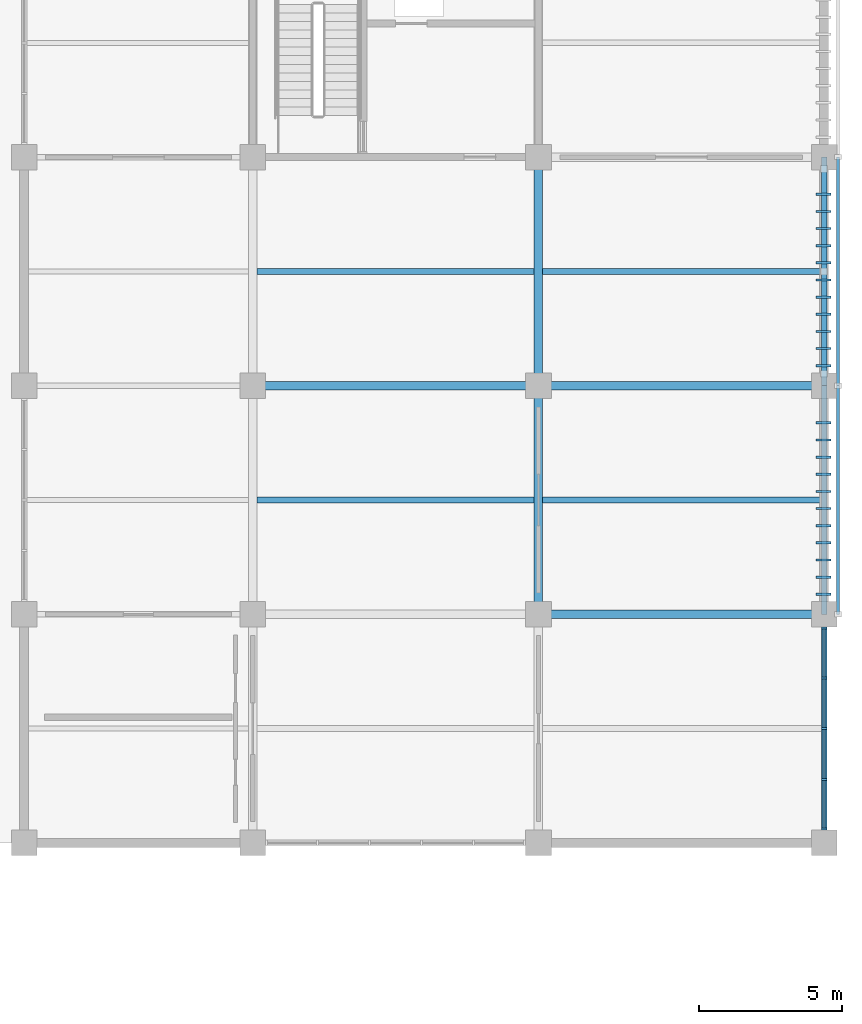
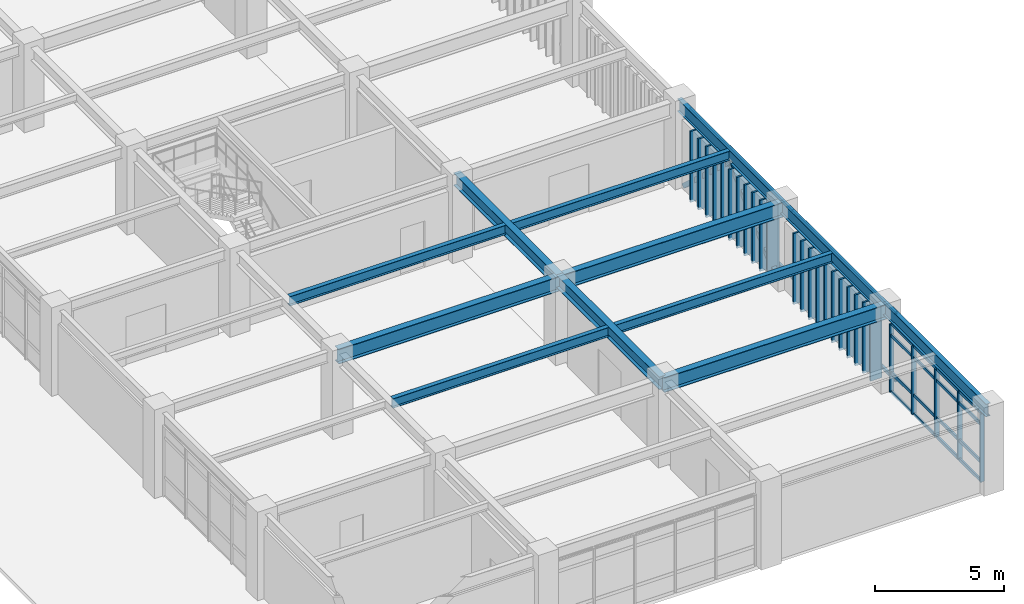
# One storey, part 40 of 118: 49 members, 12 beams, 1 element without a shape of its own.
"""IFC4 building model written with IfcOpenShell, lengths in metres."""

from ifc_helpers import new_model, si_unit, direction, frame, origin, origin_2d, place, context, subcontext, project, spatial, rectangle, hollow_rectangle, i_section, extrude, material, layer, layer_set, material_profile, profile_set, type_object, element, aggregate, save


model = new_model("IFC4")

# Units and contexts
model_context = context("Model", 3, precision=1e-05, world=origin(), true_north=direction((0.0, 1.0)))
body_context = subcontext(model_context, "Body", "Model", "MODEL_VIEW")
ifc_project = project(units=[si_unit("LENGTHUNIT", "METRE"), si_unit("AREAUNIT", "SQUARE_METRE"), si_unit("VOLUMEUNIT", "CUBIC_METRE"), si_unit("PLANEANGLEUNIT", "RADIAN"), si_unit("MASSUNIT", "GRAM", prefix="KILO")], contexts=[model_context])

# Site, building, storey
site_placement = place(None, origin())
site = spatial("IfcSite", under=ifc_project, at=site_placement, CompositionType="ELEMENT")
building_placement = place(site_placement, origin())
building = spatial("IfcBuilding", under=site, at=building_placement, Name="Haebicheon Civic Stadium", CompositionType="ELEMENT")
storey_placement = place(building_placement, frame((0.0, 0.0, 14.39990234375)))
storey = spatial("IfcBuildingStorey", under=building, at=storey_placement, Name="L04", CompositionType="ELEMENT", Elevation=14.39990234375)

# Beams
ifc_material_1 = material(Name="Steel SM355 (S355)", Category="steel")
ifc_material_profile_1 = material_profile(ifc_material_1, i_section(OverallWidth=0.300048828125, OverallDepth=0.60009765625, WebThickness=0.011962890625, FlangeThickness=0.02001953125, at=origin_2d()), Name="H-600x300x12x20")
ifc_profile_set_1 = profile_set([ifc_material_profile_1], Name="Steel SM355 (S355)")
beam_type_1 = type_object("IfcBeamType", Name="BM-ST-H600A", PredefinedType="BEAM", material=ifc_profile_set_1)
for number, where, z_axis, x_axis, name in (
    (1, (226.0, 48.0, 3.64013671875), (0.0, 1.0, 0.0), (-1.0, 0.0, 0.0), "L04 girder 29/G-H"),
    (2, (226.0, 56.0, 3.64013671875), (0.0, 1.0, 0.0), (-1.0, 0.0, 0.0), "L04 girder 29/H-J"),
):
    element("IfcBeam", number, at=place(storey_placement, frame(where, z_axis=z_axis, x_axis=x_axis)), inside=storey, type_object=beam_type_1, material=ifc_profile_set_1, Name=name, PredefinedType="BEAM", context=body_context, shape_type="SweptSolid", body=[
        extrude(i_section(OverallWidth=0.300048828125, OverallDepth=0.60009765625, WebThickness=0.011962890625, FlangeThickness=0.02001953125, at=origin_2d()), origin(), (0.0, 0.0, 1.0), 8.0),
    ])
ifc_material_2 = material(Name="Steel SM490", Category="steel")
ifc_material_profile_2 = material_profile(ifc_material_2, i_section(OverallWidth=0.300048828125, OverallDepth=0.699951171875, WebThickness=0.012939453125, FlangeThickness=0.02392578125, at=origin_2d()), Name="H-700x300x13x24")
ifc_profile_set_2 = profile_set([ifc_material_profile_2], Name="Steel SM490")
beam_type_2 = type_object("IfcBeamType", Name="BM-ST-H700", PredefinedType="BEAM", material=ifc_profile_set_2)
for number, where, z_axis, x_axis, name in (
    (3, (216.0, 56.0, 3.590087890625), (1.0, 0.0, 0.0), (0.0, 1.0, 0.0), "L04 beam H/28-29"),
    (4, (226.0, 48.0, 3.590087890625), (1.0, 0.0, 0.0), (0.0, 1.0, 0.0), "L04 beam G/29-30"),
    (5, (226.0, 56.0, 3.590087890625), (1.0, 0.0, 0.0), (0.0, 1.0, 0.0), "L04 beam H/29-30"),
):
    element("IfcBeam", number, at=place(storey_placement, frame(where, z_axis=z_axis, x_axis=x_axis)), inside=storey, type_object=beam_type_2, material=ifc_profile_set_2, Name=name, PredefinedType="BEAM", context=body_context, shape_type="SweptSolid", body=[
        extrude(i_section(OverallWidth=0.300048828125, OverallDepth=0.699951171875, WebThickness=0.012939453125, FlangeThickness=0.02392578125, at=origin_2d()), origin(), (0.0, 0.0, 1.0), 10.0),
    ])

# Members
ifc_material_3 = material(Name="Steel SM355 (S355)", Category="steel")
ifc_material_profile_3 = material_profile(ifc_material_3, hollow_rectangle(XDim=0.199951171875, YDim=0.199951171875, WallThickness=0.009033203125, at=origin_2d()), Name="RHS-200x200x9.0")
ifc_profile_set_3 = profile_set([ifc_material_profile_3], Name="Steel SM355 (S355)")
member_type_1 = type_object("IfcMemberType", Name="BRC-RHS200", PredefinedType="BRACE", material=ifc_profile_set_3)
for number, where, z_axis, x_axis, name in (
    (6, (236.0, 56.419921875, 0.0400390625), (0.0, 0.735278088986, 0.677765543427), (-1.0, 0.0, 0.0), "BR200 chevron brace L04 28-07 A"),
    (7, (236.0, 63.580078125, 0.0400390625), (0.0, -0.735278088986, 0.677765543427), (1.0, 0.0, 0.0), "BR200 chevron brace L04 28-07 B"),
):
    element("IfcMember", number, at=place(storey_placement, frame(where, z_axis=z_axis, x_axis=x_axis)), inside=storey, type_object=member_type_1, material=ifc_profile_set_3, Name=name, PredefinedType="BRACE", context=body_context, shape_type="SweptSolid", body=[
        extrude(hollow_rectangle(XDim=0.199951171875, YDim=0.199951171875, WallThickness=0.009033203125, at=origin_2d()), origin(), (0.0, 0.0, 1.0), 4.868896484375),
    ])

# Curtain wall, members
ifc_material_4 = material(Name="Anodised aluminium and laminated glass", Category="aluminium")
ifc_layer = layer(ifc_material_4, 0.179931640625, Name="Anodised aluminium and laminated glass")
ifc_layer_set = layer_set([ifc_layer], Name="Anodised aluminium and laminated glass")
curtain_wall_type = type_object("IfcCurtainWallType", Name="CW-7100x3230", PredefinedType="NOTDEFINED", material=ifc_layer_set)
curtain_wall_placement = place(storey_placement, origin())
curtain_wall = element("IfcCurtainWall", 8, at=curtain_wall_placement, inside=storey, type_object=curtain_wall_type, material=ifc_layer_set, Name="L04 unitised curtain wall 177", PredefinedType="NOTDEFINED")
ifc_material_5 = material(Name="Anodised aluminium 6063-T6", Category="aluminium")
ifc_material_profile_4 = material_profile(ifc_material_5, rectangle(XDim=0.070068359375, YDim=0.199951171875, at=origin_2d()), Name="ALU-MULL-70x200")
ifc_profile_set_4 = profile_set([ifc_material_profile_4], Name="Anodised aluminium 6063-T6")
member_type_2 = type_object("IfcMemberType", Name="CWM-200x70", PredefinedType="MULLION", material=ifc_profile_set_4)
member_1_placement = place(storey_placement, frame((236.0, 40.485107421875, 0.0), z_axis=(0.0, 0.0, 1.0), x_axis=(0.0, 1.0, 0.0)))
member_1 = element("IfcMember", 9, at=member_1_placement, type_object=member_type_2, material=ifc_profile_set_4, Name="CW-L04-177 vertical mullion 1", PredefinedType="MULLION", context=body_context, shape_type="SweptSolid", body=[
    extrude(rectangle(XDim=0.070068359375, YDim=0.199951171875, at=origin_2d()), origin(), (0.0, 0.0, 1.0), 3.22998046875),
])
member_2_placement = place(storey_placement, frame((236.0, 42.22509765625, 0.0), z_axis=(0.0, 0.0, 1.0), x_axis=(0.0, 1.0, 0.0)))
member_2 = element("IfcMember", 10, at=member_2_placement, type_object=member_type_2, material=ifc_profile_set_4, Name="CW-L04-177 vertical mullion 2", PredefinedType="MULLION", context=body_context, shape_type="SweptSolid", body=[
    extrude(rectangle(XDim=0.070068359375, YDim=0.199951171875, at=origin_2d()), origin(), (0.0, 0.0, 1.0), 3.22998046875),
])
member_3_placement = place(storey_placement, frame((236.0, 44.0, 0.0), z_axis=(0.0, 0.0, 1.0), x_axis=(0.0, 1.0, 0.0)))
member_3 = element("IfcMember", 11, at=member_3_placement, type_object=member_type_2, material=ifc_profile_set_4, Name="CW-L04-177 vertical mullion 3", PredefinedType="MULLION", context=body_context, shape_type="SweptSolid", body=[
    extrude(rectangle(XDim=0.070068359375, YDim=0.199951171875, at=origin_2d()), origin(), (0.0, 0.0, 1.0), 3.22998046875),
])
member_4_placement = place(storey_placement, frame((236.0, 45.77490234375, 0.0), z_axis=(0.0, 0.0, 1.0), x_axis=(0.0, 1.0, 0.0)))
member_4 = element("IfcMember", 12, at=member_4_placement, type_object=member_type_2, material=ifc_profile_set_4, Name="CW-L04-177 vertical mullion 4", PredefinedType="MULLION", context=body_context, shape_type="SweptSolid", body=[
    extrude(rectangle(XDim=0.070068359375, YDim=0.199951171875, at=origin_2d()), origin(), (0.0, 0.0, 1.0), 3.22998046875),
])
member_5_placement = place(storey_placement, frame((236.0, 47.514892578125, 0.0), z_axis=(0.0, 0.0, 1.0), x_axis=(0.0, 1.0, 0.0)))
member_5 = element("IfcMember", 13, at=member_5_placement, type_object=member_type_2, material=ifc_profile_set_4, Name="CW-L04-177 vertical mullion 5", PredefinedType="MULLION", context=body_context, shape_type="SweptSolid", body=[
    extrude(rectangle(XDim=0.070068359375, YDim=0.199951171875, at=origin_2d()), origin(), (0.0, 0.0, 1.0), 3.22998046875),
])
ifc_material_6 = material(Name="Anodised aluminium 6063-T6", Category="aluminium")
ifc_material_profile_5 = material_profile(ifc_material_6, rectangle(XDim=0.070068359375, YDim=0.14990234375, at=origin_2d()), Name="ALU-TRAN-70x150")
ifc_profile_set_5 = profile_set([ifc_material_profile_5], Name="Anodised aluminium 6063-T6")
member_type_3 = type_object("IfcMemberType", Name="CWT-150x70", PredefinedType="NOTDEFINED", material=ifc_profile_set_5)
member_6_placement = place(storey_placement, frame((236.0, 40.52001953125, 0.0), z_axis=(0.0, 1.0, 0.0), x_axis=(-1.0, 0.0, 0.0)))
member_6 = element("IfcMember", 14, at=member_6_placement, type_object=member_type_3, material=ifc_profile_set_5, Name="CW-L04-177 horizontal transom 1.1", ObjectType="TRANSOM", PredefinedType="USERDEFINED", context=body_context, shape_type="SweptSolid", body=[
    extrude(rectangle(XDim=0.070068359375, YDim=0.14990234375, at=origin_2d()), origin(), (0.0, 0.0, 1.0), 1.669921875),
])
member_7_placement = place(storey_placement, frame((236.0, 40.52001953125, 0.900146484375), z_axis=(0.0, 1.0, 0.0), x_axis=(-1.0, 0.0, 0.0)))
member_7 = element("IfcMember", 15, at=member_7_placement, type_object=member_type_3, material=ifc_profile_set_5, Name="CW-L04-177 horizontal transom 1.2", ObjectType="TRANSOM", PredefinedType="USERDEFINED", context=body_context, shape_type="SweptSolid", body=[
    extrude(rectangle(XDim=0.070068359375, YDim=0.14990234375, at=origin_2d()), origin(), (0.0, 0.0, 1.0), 1.669921875),
])
member_8_placement = place(storey_placement, frame((236.0, 40.52001953125, 2.68017578125), z_axis=(0.0, 1.0, 0.0), x_axis=(-1.0, 0.0, 0.0)))
member_8 = element("IfcMember", 16, at=member_8_placement, type_object=member_type_3, material=ifc_profile_set_5, Name="CW-L04-177 horizontal transom 1.3", ObjectType="TRANSOM", PredefinedType="USERDEFINED", context=body_context, shape_type="SweptSolid", body=[
    extrude(rectangle(XDim=0.070068359375, YDim=0.14990234375, at=origin_2d()), origin(), (0.0, 0.0, 1.0), 1.669921875),
])
member_9_placement = place(storey_placement, frame((236.0, 40.52001953125, 3.22998046875), z_axis=(0.0, 1.0, 0.0), x_axis=(-1.0, 0.0, 0.0)))
member_9 = element("IfcMember", 17, at=member_9_placement, type_object=member_type_3, material=ifc_profile_set_5, Name="CW-L04-177 horizontal transom 1.4", ObjectType="TRANSOM", PredefinedType="USERDEFINED", context=body_context, shape_type="SweptSolid", body=[
    extrude(rectangle(XDim=0.070068359375, YDim=0.14990234375, at=origin_2d()), origin(), (0.0, 0.0, 1.0), 1.669921875),
])
member_10_placement = place(storey_placement, frame((236.0, 42.260009765625, 0.0), z_axis=(0.0, 1.0, 0.0), x_axis=(-1.0, 0.0, 0.0)))
member_10 = element("IfcMember", 18, at=member_10_placement, type_object=member_type_3, material=ifc_profile_set_5, Name="CW-L04-177 horizontal transom 2.1", ObjectType="TRANSOM", PredefinedType="USERDEFINED", context=body_context, shape_type="SweptSolid", body=[
    extrude(rectangle(XDim=0.070068359375, YDim=0.14990234375, at=origin_2d()), origin(), (0.0, 0.0, 1.0), 1.705078125),
])
member_11_placement = place(storey_placement, frame((236.0, 42.260009765625, 0.900146484375), z_axis=(0.0, 1.0, 0.0), x_axis=(-1.0, 0.0, 0.0)))
member_11 = element("IfcMember", 19, at=member_11_placement, type_object=member_type_3, material=ifc_profile_set_5, Name="CW-L04-177 horizontal transom 2.2", ObjectType="TRANSOM", PredefinedType="USERDEFINED", context=body_context, shape_type="SweptSolid", body=[
    extrude(rectangle(XDim=0.070068359375, YDim=0.14990234375, at=origin_2d()), origin(), (0.0, 0.0, 1.0), 1.705078125),
])
member_12_placement = place(storey_placement, frame((236.0, 42.260009765625, 2.68017578125), z_axis=(0.0, 1.0, 0.0), x_axis=(-1.0, 0.0, 0.0)))
member_12 = element("IfcMember", 20, at=member_12_placement, type_object=member_type_3, material=ifc_profile_set_5, Name="CW-L04-177 horizontal transom 2.3", ObjectType="TRANSOM", PredefinedType="USERDEFINED", context=body_context, shape_type="SweptSolid", body=[
    extrude(rectangle(XDim=0.070068359375, YDim=0.14990234375, at=origin_2d()), origin(), (0.0, 0.0, 1.0), 1.705078125),
])
member_13_placement = place(storey_placement, frame((236.0, 42.260009765625, 3.22998046875), z_axis=(0.0, 1.0, 0.0), x_axis=(-1.0, 0.0, 0.0)))
member_13 = element("IfcMember", 21, at=member_13_placement, type_object=member_type_3, material=ifc_profile_set_5, Name="CW-L04-177 horizontal transom 2.4", ObjectType="TRANSOM", PredefinedType="USERDEFINED", context=body_context, shape_type="SweptSolid", body=[
    extrude(rectangle(XDim=0.070068359375, YDim=0.14990234375, at=origin_2d()), origin(), (0.0, 0.0, 1.0), 1.705078125),
])
member_14_placement = place(storey_placement, frame((236.0, 44.034912109375, 0.0), z_axis=(0.0, 1.0, 0.0), x_axis=(-1.0, 0.0, 0.0)))
member_14 = element("IfcMember", 22, at=member_14_placement, type_object=member_type_3, material=ifc_profile_set_5, Name="CW-L04-177 horizontal transom 3.1", ObjectType="TRANSOM", PredefinedType="USERDEFINED", context=body_context, shape_type="SweptSolid", body=[
    extrude(rectangle(XDim=0.070068359375, YDim=0.14990234375, at=origin_2d()), origin(), (0.0, 0.0, 1.0), 1.705078125),
])
member_15_placement = place(storey_placement, frame((236.0, 44.034912109375, 0.900146484375), z_axis=(0.0, 1.0, 0.0), x_axis=(-1.0, 0.0, 0.0)))
member_15 = element("IfcMember", 23, at=member_15_placement, type_object=member_type_3, material=ifc_profile_set_5, Name="CW-L04-177 horizontal transom 3.2", ObjectType="TRANSOM", PredefinedType="USERDEFINED", context=body_context, shape_type="SweptSolid", body=[
    extrude(rectangle(XDim=0.070068359375, YDim=0.14990234375, at=origin_2d()), origin(), (0.0, 0.0, 1.0), 1.705078125),
])
member_16_placement = place(storey_placement, frame((236.0, 44.034912109375, 2.68017578125), z_axis=(0.0, 1.0, 0.0), x_axis=(-1.0, 0.0, 0.0)))
member_16 = element("IfcMember", 24, at=member_16_placement, type_object=member_type_3, material=ifc_profile_set_5, Name="CW-L04-177 horizontal transom 3.3", ObjectType="TRANSOM", PredefinedType="USERDEFINED", context=body_context, shape_type="SweptSolid", body=[
    extrude(rectangle(XDim=0.070068359375, YDim=0.14990234375, at=origin_2d()), origin(), (0.0, 0.0, 1.0), 1.705078125),
])
member_17_placement = place(storey_placement, frame((236.0, 44.034912109375, 3.22998046875), z_axis=(0.0, 1.0, 0.0), x_axis=(-1.0, 0.0, 0.0)))
member_17 = element("IfcMember", 25, at=member_17_placement, type_object=member_type_3, material=ifc_profile_set_5, Name="CW-L04-177 horizontal transom 3.4", ObjectType="TRANSOM", PredefinedType="USERDEFINED", context=body_context, shape_type="SweptSolid", body=[
    extrude(rectangle(XDim=0.070068359375, YDim=0.14990234375, at=origin_2d()), origin(), (0.0, 0.0, 1.0), 1.705078125),
])
member_18_placement = place(storey_placement, frame((236.0, 45.81005859375, 0.0), z_axis=(0.0, 1.0, 0.0), x_axis=(-1.0, 0.0, 0.0)))
member_18 = element("IfcMember", 26, at=member_18_placement, type_object=member_type_3, material=ifc_profile_set_5, Name="CW-L04-177 horizontal transom 4.1", ObjectType="TRANSOM", PredefinedType="USERDEFINED", context=body_context, shape_type="SweptSolid", body=[
    extrude(rectangle(XDim=0.070068359375, YDim=0.14990234375, at=origin_2d()), origin(), (0.0, 0.0, 1.0), 1.669921875),
])
member_19_placement = place(storey_placement, frame((236.0, 45.81005859375, 0.900146484375), z_axis=(0.0, 1.0, 0.0), x_axis=(-1.0, 0.0, 0.0)))
member_19 = element("IfcMember", 27, at=member_19_placement, type_object=member_type_3, material=ifc_profile_set_5, Name="CW-L04-177 horizontal transom 4.2", ObjectType="TRANSOM", PredefinedType="USERDEFINED", context=body_context, shape_type="SweptSolid", body=[
    extrude(rectangle(XDim=0.070068359375, YDim=0.14990234375, at=origin_2d()), origin(), (0.0, 0.0, 1.0), 1.669921875),
])
member_20_placement = place(storey_placement, frame((236.0, 45.81005859375, 2.68017578125), z_axis=(0.0, 1.0, 0.0), x_axis=(-1.0, 0.0, 0.0)))
member_20 = element("IfcMember", 28, at=member_20_placement, type_object=member_type_3, material=ifc_profile_set_5, Name="CW-L04-177 horizontal transom 4.3", ObjectType="TRANSOM", PredefinedType="USERDEFINED", context=body_context, shape_type="SweptSolid", body=[
    extrude(rectangle(XDim=0.070068359375, YDim=0.14990234375, at=origin_2d()), origin(), (0.0, 0.0, 1.0), 1.669921875),
])
member_21_placement = place(storey_placement, frame((236.0, 45.81005859375, 3.22998046875), z_axis=(0.0, 1.0, 0.0), x_axis=(-1.0, 0.0, 0.0)))
member_21 = element("IfcMember", 29, at=member_21_placement, type_object=member_type_3, material=ifc_profile_set_5, Name="CW-L04-177 horizontal transom 4.4", ObjectType="TRANSOM", PredefinedType="USERDEFINED", context=body_context, shape_type="SweptSolid", body=[
    extrude(rectangle(XDim=0.070068359375, YDim=0.14990234375, at=origin_2d()), origin(), (0.0, 0.0, 1.0), 1.669921875),
])
aggregate(curtain_wall, [member_1, member_2, member_3, member_4, member_5, member_6, member_7, member_8, member_9, member_10, member_11, member_12, member_13, member_14, member_15, member_16, member_17, member_18, member_19, member_20, member_21])

# Beams
ifc_material_7 = material(Name="Steel SM355 (S355)", Category="steel")
ifc_material_profile_6 = material_profile(ifc_material_7, i_section(OverallWidth=0.199951171875, OverallDepth=0.449951171875, WebThickness=0.009033203125, FlangeThickness=0.013916015625, at=origin_2d()), Name="H-450x200x9x14")
ifc_profile_set_6 = profile_set([ifc_material_profile_6], Name="Steel SM355 (S355)")
beam_type_3 = type_object("IfcBeamType", Name="JST-ST-H450", PredefinedType="JOIST", material=ifc_profile_set_6)
for number, where, z_axis, x_axis, name in (
    (30, (216.14990234375, 52.0, 3.715087890625), (1.0, 0.0, 0.0), (0.0, 1.0, 0.0), "L04 secondary joist 27-06"),
    (31, (216.14990234375, 60.0, 3.715087890625), (1.0, 0.0, 0.0), (0.0, 1.0, 0.0), "L04 secondary joist 27-07"),
):
    element("IfcBeam", number, at=place(storey_placement, frame(where, z_axis=z_axis, x_axis=x_axis)), inside=storey, type_object=beam_type_3, material=ifc_profile_set_6, Name=name, PredefinedType="JOIST", context=body_context, shape_type="SweptSolid", body=[
        extrude(i_section(OverallWidth=0.199951171875, OverallDepth=0.449951171875, WebThickness=0.009033203125, FlangeThickness=0.013916015625, at=origin_2d()), origin(), (0.0, 0.0, 1.0), 9.7001953125),
    ])
for number, where, z_axis, x_axis, name in (
    (32, (226.14990234375, 52.0, 3.715087890625), (1.0, 0.0, 0.0), (0.0, 1.0, 0.0), "L04 secondary joist 28-06"),
    (33, (226.14990234375, 60.0, 3.715087890625), (1.0, 0.0, 0.0), (0.0, 1.0, 0.0), "L04 secondary joist 28-07"),
):
    element("IfcBeam", number, at=place(storey_placement, frame(where, z_axis=z_axis, x_axis=x_axis)), inside=storey, type_object=beam_type_3, material=ifc_profile_set_6, Name=name, PredefinedType="JOIST", context=body_context, shape_type="SweptSolid", body=[
        extrude(i_section(OverallWidth=0.199951171875, OverallDepth=0.449951171875, WebThickness=0.009033203125, FlangeThickness=0.013916015625, at=origin_2d()), origin(), (0.0, 0.0, 1.0), 9.75),
    ])

# Members
ifc_material_8 = material(Name="Acetylated timber GL28h", Category="wood")
ifc_material_profile_7 = material_profile(ifc_material_8, rectangle(XDim=0.080078125, YDim=0.52001953125, at=origin_2d()), Name="TMB-LOUV-80x520")
ifc_profile_set_7 = profile_set([ifc_material_profile_7], Name="Acetylated timber GL28h")
member_type_4 = type_object("IfcMemberType", Name="LVR-TIM-520x80", PredefinedType="PLATE", material=ifc_profile_set_7)
for number, where, z_axis, x_axis, name in (
    (34, (235.97998046875, 48.699951171875, -0.119873046875), (0.0, 0.0, 1.0), (0.0, 1.0, 0.0), "SCR-COMM L04 acetylated timber storm louvre fin 1.1"),
    (35, (235.97998046875, 49.300048828125, -0.119873046875), (0.0, 0.0, 1.0), (0.0, 1.0, 0.0), "SCR-COMM L04 acetylated timber storm louvre fin 1.2"),
    (36, (235.97998046875, 49.89990234375, -0.119873046875), (0.0, 0.0, 1.0), (0.0, 1.0, 0.0), "SCR-COMM L04 acetylated timber storm louvre fin 1.3"),
    (37, (235.97998046875, 50.5, -0.119873046875), (0.0, 0.0, 1.0), (0.0, 1.0, 0.0), "SCR-COMM L04 acetylated timber storm louvre fin 1.4"),
    (38, (235.97998046875, 51.10009765625, -0.119873046875), (0.0, 0.0, 1.0), (0.0, 1.0, 0.0), "SCR-COMM L04 acetylated timber storm louvre fin 1.5"),
    (39, (235.97998046875, 51.699951171875, -0.119873046875), (0.0, 0.0, 1.0), (0.0, 1.0, 0.0), "SCR-COMM L04 acetylated timber storm louvre fin 1.6"),
    (40, (235.97998046875, 52.300048828125, -0.119873046875), (0.0, 0.0, 1.0), (0.0, 1.0, 0.0), "SCR-COMM L04 acetylated timber storm louvre fin 1.7"),
    (41, (235.97998046875, 52.89990234375, -0.119873046875), (0.0, 0.0, 1.0), (0.0, 1.0, 0.0), "SCR-COMM L04 acetylated timber storm louvre fin 1.8"),
    (42, (235.97998046875, 53.5, -0.119873046875), (0.0, 0.0, 1.0), (0.0, 1.0, 0.0), "SCR-COMM L04 acetylated timber storm louvre fin 1.9"),
    (43, (235.97998046875, 54.10009765625, -0.119873046875), (0.0, 0.0, 1.0), (0.0, 1.0, 0.0), "SCR-COMM L04 acetylated timber storm louvre fin 1.10"),
    (44, (235.97998046875, 54.699951171875, -0.119873046875), (0.0, 0.0, 1.0), (0.0, 1.0, 0.0), "SCR-COMM L04 acetylated timber storm louvre fin 1.11"),
    (45, (235.97998046875, 56.699951171875, -0.119873046875), (0.0, 0.0, 1.0), (0.0, 1.0, 0.0), "SCR-COMM L04 acetylated timber storm louvre fin 2.1"),
    (46, (235.97998046875, 57.300048828125, -0.119873046875), (0.0, 0.0, 1.0), (0.0, 1.0, 0.0), "SCR-COMM L04 acetylated timber storm louvre fin 2.2"),
    (47, (235.97998046875, 57.89990234375, -0.119873046875), (0.0, 0.0, 1.0), (0.0, 1.0, 0.0), "SCR-COMM L04 acetylated timber storm louvre fin 2.3"),
    (48, (235.97998046875, 58.5, -0.119873046875), (0.0, 0.0, 1.0), (0.0, 1.0, 0.0), "SCR-COMM L04 acetylated timber storm louvre fin 2.4"),
    (49, (235.97998046875, 59.10009765625, -0.119873046875), (0.0, 0.0, 1.0), (0.0, 1.0, 0.0), "SCR-COMM L04 acetylated timber storm louvre fin 2.5"),
    (50, (235.97998046875, 59.699951171875, -0.119873046875), (0.0, 0.0, 1.0), (0.0, 1.0, 0.0), "SCR-COMM L04 acetylated timber storm louvre fin 2.6"),
    (51, (235.97998046875, 60.300048828125, -0.119873046875), (0.0, 0.0, 1.0), (0.0, 1.0, 0.0), "SCR-COMM L04 acetylated timber storm louvre fin 2.7"),
    (52, (235.97998046875, 60.89990234375, -0.119873046875), (0.0, 0.0, 1.0), (0.0, 1.0, 0.0), "SCR-COMM L04 acetylated timber storm louvre fin 2.8"),
    (53, (235.97998046875, 61.5, -0.119873046875), (0.0, 0.0, 1.0), (0.0, 1.0, 0.0), "SCR-COMM L04 acetylated timber storm louvre fin 2.9"),
    (54, (235.97998046875, 62.10009765625, -0.119873046875), (0.0, 0.0, 1.0), (0.0, 1.0, 0.0), "SCR-COMM L04 acetylated timber storm louvre fin 2.10"),
    (55, (235.97998046875, 62.699951171875, -0.119873046875), (0.0, 0.0, 1.0), (0.0, 1.0, 0.0), "SCR-COMM L04 acetylated timber storm louvre fin 2.11"),
):
    element("IfcMember", number, at=place(storey_placement, frame(where, z_axis=z_axis, x_axis=x_axis)), inside=storey, type_object=member_type_4, material=ifc_profile_set_7, Name=name, PredefinedType="PLATE", context=body_context, shape_type="SweptSolid", body=[
        extrude(rectangle(XDim=0.080078125, YDim=0.52001953125, at=origin_2d()), origin(), (0.0, 0.0, 1.0), 3.369873046875),
    ])

# Beams
ifc_material_9 = material(Name="Steel SM355 (S355)", Category="steel")
ifc_material_profile_8 = material_profile(ifc_material_9, i_section(OverallWidth=0.199951171875, OverallDepth=0.60009765625, WebThickness=0.010986328125, FlangeThickness=0.01708984375, at=origin_2d()), Name="H-600x200x11x17")
ifc_profile_set_8 = profile_set([ifc_material_profile_8], Name="Steel SM355 (S355)")
beam_type_4 = type_object("IfcBeamType", Name="SPD-ST-H600B", PredefinedType="SPANDREL", material=ifc_profile_set_8)
for number, where, z_axis, x_axis, name in (
    (56, (236.0, 40.0, 3.68017578125), (0.0, 1.0, 0.0), (-1.0, 0.0, 0.0), "L04 girder 30/F-G"),
    (57, (236.0, 48.0, 3.64013671875), (0.0, 1.0, 0.0), (-1.0, 0.0, 0.0), "L04 girder 30/G-H"),
    (58, (236.0, 56.0, 3.64013671875), (0.0, 1.0, 0.0), (-1.0, 0.0, 0.0), "L04 girder 30/H-J"),
):
    element("IfcBeam", number, at=place(storey_placement, frame(where, z_axis=z_axis, x_axis=x_axis)), inside=storey, type_object=beam_type_4, material=ifc_profile_set_8, Name=name, PredefinedType="SPANDREL", context=body_context, shape_type="SweptSolid", body=[
        extrude(i_section(OverallWidth=0.199951171875, OverallDepth=0.60009765625, WebThickness=0.010986328125, FlangeThickness=0.01708984375, at=origin_2d()), origin(), (0.0, 0.0, 1.0), 8.0),
    ])

# Members
ifc_material_10 = material(Name="Steel SM355 (S355)", Category="steel")
ifc_material_profile_9 = material_profile(ifc_material_10, hollow_rectangle(XDim=0.10009765625, YDim=0.14990234375, WallThickness=0.006103515625, at=origin_2d()), Name="RHS-150x100x6.0")
ifc_profile_set_9 = profile_set([ifc_material_profile_9], Name="Steel SM355 (S355)")
member_type_5 = type_object("IfcMemberType", Name="SUB-RHS150", PredefinedType="STRINGER", material=ifc_profile_set_9)
for number, where, z_axis, x_axis, name in (
    (59, (236.489990234375, 48.0, 0.06005859375), (0.0, 1.0, 0.0), (-1.0, 0.0, 0.0), "SCR-COMM L04 storm-louvre bottom carrier rail 1"),
    (60, (236.489990234375, 48.0, 3.25), (0.0, 1.0, 0.0), (-1.0, 0.0, 0.0), "SCR-COMM L04 storm-louvre top carrier rail 1"),
    (61, (236.489990234375, 56.0, 0.06005859375), (0.0, 1.0, 0.0), (-1.0, 0.0, 0.0), "SCR-COMM L04 storm-louvre bottom carrier rail 2"),
    (62, (236.489990234375, 56.0, 3.25), (0.0, 1.0, 0.0), (-1.0, 0.0, 0.0), "SCR-COMM L04 storm-louvre top carrier rail 2"),
):
    element("IfcMember", number, at=place(storey_placement, frame(where, z_axis=z_axis, x_axis=x_axis)), inside=storey, type_object=member_type_5, material=ifc_profile_set_9, Name=name, PredefinedType="STRINGER", context=body_context, shape_type="SweptSolid", body=[
        extrude(hollow_rectangle(XDim=0.10009765625, YDim=0.14990234375, WallThickness=0.006103515625, at=origin_2d()), origin(), (0.0, 0.0, 1.0), 8.0),
    ])

save(model, "model.ifc")
